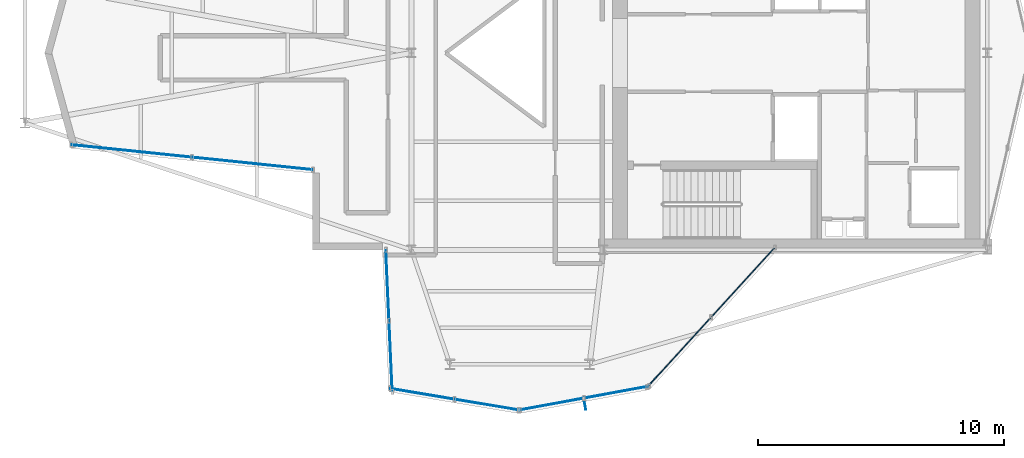
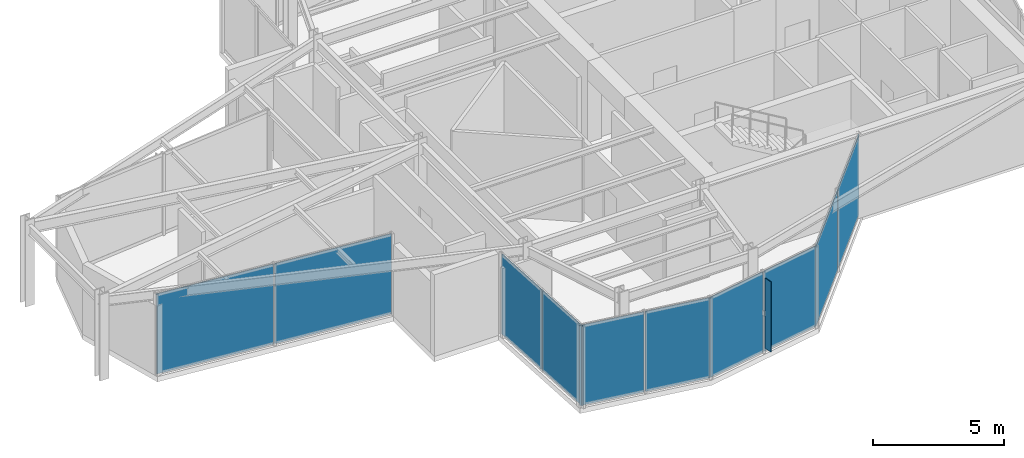
# One storey, part 8 of 14: 11 plates, 5 elements without a shape of their own.
"""IFC4 building model written with IfcOpenShell, lengths in metres."""

from ifc_helpers import new_model, si_unit, direction, frame, origin, origin_2d, place, context, subcontext, project, spatial, rectangle, extrude, material, layer, layer_set, type_object, element, aggregate, save


model = new_model("IFC4")

# Units and contexts
model_context = context("Model", 3, precision=1e-05, world=origin(), true_north=direction((0.0, 1.0)))
body_context = subcontext(model_context, "Body", "Model", "MODEL_VIEW")
ifc_project = project(units=[si_unit("LENGTHUNIT", "METRE"), si_unit("AREAUNIT", "SQUARE_METRE"), si_unit("VOLUMEUNIT", "CUBIC_METRE"), si_unit("PLANEANGLEUNIT", "RADIAN"), si_unit("MASSUNIT", "GRAM", prefix="KILO")], contexts=[model_context])

# Site, building, storey
site_placement = place(None, origin())
site = spatial("IfcSite", under=ifc_project, at=site_placement, CompositionType="ELEMENT")
building_placement = place(site_placement, origin())
building = spatial("IfcBuilding", under=site, at=building_placement, Name="Veymaron Broadcast Tower", CompositionType="ELEMENT")
storey_placement = place(building_placement, frame((0.0, 0.0, 283.050048828125)))
storey = spatial("IfcBuildingStorey", under=building, at=storey_placement, Name="L66", CompositionType="ELEMENT", Elevation=283.050048828125)

# Curtain wall, plates
ifc_material_1 = material(Name="Anodised aluminium AA 6063-T6 and laminated low-E dark glass", Category="aluminium")
ifc_layer_1 = layer(ifc_material_1, 0.179931640625)
ifc_layer_set_1 = layer_set([ifc_layer_1], Name="Anodised aluminium AA 6063-T6 and laminated low-E dark glass")
curtain_wall_type = type_object("IfcCurtainWallType", Name="CW-SYS-06", PredefinedType="NOTDEFINED", material=ifc_layer_set_1)
curtain_wall_1_placement = place(storey_placement, origin())
curtain_wall_1 = element("IfcCurtainWall", 1, at=curtain_wall_1_placement, inside=storey, type_object=curtain_wall_type, Name="L66 dark-glass curtain wall CW-L66-E14-1", PredefinedType="NOTDEFINED")
ifc_material_2 = material(Name="Insulated dark-anodised aluminium spandrel panel 40 mm", Category="aluminium")
ifc_layer_2 = layer(ifc_material_2, 0.0400390625)
ifc_layer_set_2 = layer_set([ifc_layer_2], Name="Insulated dark-anodised aluminium spandrel panel 40 mm")
plate_type_1 = type_object("IfcPlateType", Name="CW-PNL-03", PredefinedType="CURTAIN_PANEL", material=ifc_layer_set_2)
plate_1_placement = place(storey_placement, frame((19.830810546875, 20.014892578125, 0.0400390625), z_axis=(0.0, 0.0, 1.0), x_axis=(0.994701022897, -0.102809897611, 0.0)))
plate_1 = element("IfcPlate", 2, at=plate_1_placement, type_object=plate_type_1, Name="CW-L66-E14-1 unitised curtain panel 0", PredefinedType="CURTAIN_PANEL", context=body_context, shape_type="SweptSolid", body=[
    extrude(rectangle(XDim=4.87890625, YDim=0.0400390625, at=origin_2d()), origin(), (0.0, 0.0, 1.0), 3.72998046875),
])
plate_2_placement = place(storey_placement, frame((24.74365234375, 19.507080078125, 0.0400390625), z_axis=(0.0, 0.0, 1.0), x_axis=(0.994701022897, -0.102809897611, 0.0)))
plate_2 = element("IfcPlate", 3, at=plate_2_placement, type_object=plate_type_1, Name="CW-L66-E14-1 unitised curtain panel 1", PredefinedType="CURTAIN_PANEL", context=body_context, shape_type="SweptSolid", body=[
    extrude(rectangle(XDim=4.87890625, YDim=0.0400390625, at=origin_2d()), origin(), (0.0, 0.0, 1.0), 3.72998046875),
])
aggregate(curtain_wall_1, [plate_1, plate_2])

curtain_wall_2_placement = place(storey_placement, origin())
curtain_wall_2 = element("IfcCurtainWall", 4, at=curtain_wall_2_placement, inside=storey, type_object=curtain_wall_type, Name="L66 dark-glass curtain wall CW-L66-E17-1", PredefinedType="NOTDEFINED")
plate_3_placement = place(storey_placement, frame((30.2275390625, 14.564208984375, 0.0400390625), z_axis=(0.0, 0.0, 1.0), x_axis=(0.045502470291, -0.998964226185, 0.0)))
plate_3 = element("IfcPlate", 5, at=plate_3_placement, type_object=plate_type_1, Name="CW-L66-E17-1 unitised curtain panel 0", PredefinedType="CURTAIN_PANEL", context=body_context, shape_type="SweptSolid", body=[
    extrude(rectangle(XDim=2.82763671875, YDim=0.0400390625, at=origin_2d()), origin(), (0.0, 0.0, 1.0), 3.72998046875),
])
plate_4_placement = place(storey_placement, frame((30.35888671875, 11.679443359375, 0.0400390625), z_axis=(0.0, 0.0, 1.0), x_axis=(0.045502470291, -0.998964226185, 0.0)))
plate_4 = element("IfcPlate", 6, at=plate_4_placement, type_object=plate_type_1, Name="CW-L66-E17-1 unitised curtain panel 1", PredefinedType="CURTAIN_PANEL", context=body_context, shape_type="SweptSolid", body=[
    extrude(rectangle(XDim=2.82763671875, YDim=0.0400390625, at=origin_2d()), origin(), (0.0, 0.0, 1.0), 3.72998046875),
])
aggregate(curtain_wall_2, [plate_3, plate_4])

curtain_wall_3_placement = place(storey_placement, origin())
curtain_wall_3 = element("IfcCurtainWall", 7, at=curtain_wall_3_placement, inside=storey, type_object=curtain_wall_type, Name="L66 dark-glass curtain wall CW-L66-E18-1", PredefinedType="NOTDEFINED")
plate_5_placement = place(storey_placement, frame((31.6318359375, 10.14794921875, 0.0400390625), z_axis=(0.0, 0.0, 1.0), x_axis=(0.986354649988, -0.164634457046, 0.0)))
plate_5 = element("IfcPlate", 8, at=plate_5_placement, type_object=plate_type_1, Name="CW-L66-E18-1 unitised curtain panel 0", PredefinedType="CURTAIN_PANEL", context=body_context, shape_type="SweptSolid", body=[
    extrude(rectangle(XDim=2.624755859375, YDim=0.0400390625, at=origin_2d()), origin(), (0.0, 0.0, 1.0), 3.72998046875),
])
plate_6_placement = place(storey_placement, frame((34.280029296875, 9.705810546875, 0.0400390625), z_axis=(0.0, 0.0, 1.0), x_axis=(0.986354649988, -0.164634457046, 0.0)))
plate_6 = element("IfcPlate", 9, at=plate_6_placement, type_object=plate_type_1, Name="CW-L66-E18-1 unitised curtain panel 1", PredefinedType="CURTAIN_PANEL", context=body_context, shape_type="SweptSolid", body=[
    extrude(rectangle(XDim=2.624755859375, YDim=0.0400390625, at=origin_2d()), origin(), (0.0, 0.0, 1.0), 3.72998046875),
])
aggregate(curtain_wall_3, [plate_5, plate_6])

curtain_wall_4_placement = place(storey_placement, origin())
curtain_wall_4 = element("IfcCurtainWall", 10, at=curtain_wall_4_placement, inside=storey, type_object=curtain_wall_type, Name="L66 dark-glass curtain wall CW-L66-E19-1", PredefinedType="NOTDEFINED")
plate_7_placement = place(storey_placement, frame((36.8798828125, 9.7275390625, 0.0400390625), z_axis=(0.0, 0.0, 1.0), x_axis=(0.983562017505, 0.180570644685, 0.0)))
plate_7 = element("IfcPlate", 11, at=plate_7_placement, type_object=plate_type_1, Name="CW-L66-E19-1 unitised curtain panel 0", PredefinedType="CURTAIN_PANEL", context=body_context, shape_type="SweptSolid", body=[
    extrude(rectangle(XDim=2.632568359375, YDim=0.0400390625, at=origin_2d()), origin(), (0.0, 0.0, 1.0), 3.72998046875),
])
plate_8_placement = place(storey_placement, frame((39.5283203125, 10.2138671875, 0.0400390625), z_axis=(0.0, 0.0, 1.0), x_axis=(0.983562017505, 0.180570644685, 0.0)))
plate_8 = element("IfcPlate", 12, at=plate_8_placement, type_object=plate_type_1, Name="CW-L66-E19-1 unitised curtain panel 1", PredefinedType="CURTAIN_PANEL", context=body_context, shape_type="SweptSolid", body=[
    extrude(rectangle(XDim=2.632568359375, YDim=0.0400390625, at=origin_2d()), origin(), (0.0, 0.0, 1.0), 3.72998046875),
])
aggregate(curtain_wall_4, [plate_7, plate_8])

curtain_wall_5_placement = place(storey_placement, origin())
curtain_wall_5 = element("IfcCurtainWall", 13, at=curtain_wall_5_placement, inside=storey, type_object=curtain_wall_type, Name="L66 dark-glass curtain wall CW-L66-E20-1", PredefinedType="NOTDEFINED")
plate_9_placement = place(storey_placement, frame((42.072021484375, 11.833740234375, 0.0400390625), z_axis=(0.0, 0.0, 1.0), x_axis=(0.674585884365, 0.738196372665, 0.0)))
plate_9 = element("IfcPlate", 14, at=plate_9_placement, type_object=plate_type_1, Name="CW-L66-E20-1 unitised curtain panel 0", PredefinedType="CURTAIN_PANEL", context=body_context, shape_type="SweptSolid", body=[
    extrude(rectangle(XDim=3.787841796875, YDim=0.0400390625, at=origin_2d()), origin(), (0.0, 0.0, 1.0), 3.72998046875),
])
plate_10_placement = place(storey_placement, frame((44.667724609375, 14.67431640625, 0.0400390625), z_axis=(0.0, 0.0, 1.0), x_axis=(0.674585884365, 0.738196372665, 0.0)))
plate_10 = element("IfcPlate", 15, at=plate_10_placement, type_object=plate_type_1, Name="CW-L66-E20-1 unitised curtain panel 1", PredefinedType="CURTAIN_PANEL", context=body_context, shape_type="SweptSolid", body=[
    extrude(rectangle(XDim=3.787841796875, YDim=0.0400390625, at=origin_2d()), origin(), (0.0, 0.0, 1.0), 3.72998046875),
])
aggregate(curtain_wall_5, [plate_9, plate_10])

# Plate
ifc_material_3 = material(Name="Dark-anodised aluminium AA 6061-T6", Category="aluminium")
ifc_layer_3 = layer(ifc_material_3, 0.030029296875)
ifc_layer_set_3 = layer_set([ifc_layer_3], Name="Dark-anodised aluminium AA 6061-T6")
plate_type_2 = type_object("IfcPlateType", Name="FIN-CHEV-02", PredefinedType="USERDEFINED", material=ifc_layer_set_3)
plate_11_placement = place(storey_placement, frame((38.25927734375, 9.670654296875, 0.2666015625), z_axis=(0.0, 0.0, 1.0), x_axis=(0.180570644685, -0.983562017505, 0.0)))
element("IfcPlate", 16, at=plate_11_placement, inside=storey, type_object=plate_type_2, Name="CW-L66-E19-1 chevron fin 1", ObjectType="FIN", PredefinedType="USERDEFINED", context=body_context, shape_type="SweptSolid", body=[
    extrude(rectangle(XDim=0.35009765625, YDim=0.034912109375, at=origin_2d()), origin(), (0.0, 0.0, 1.0), 3.276611328125),
])

save(model, "model.ifc")
